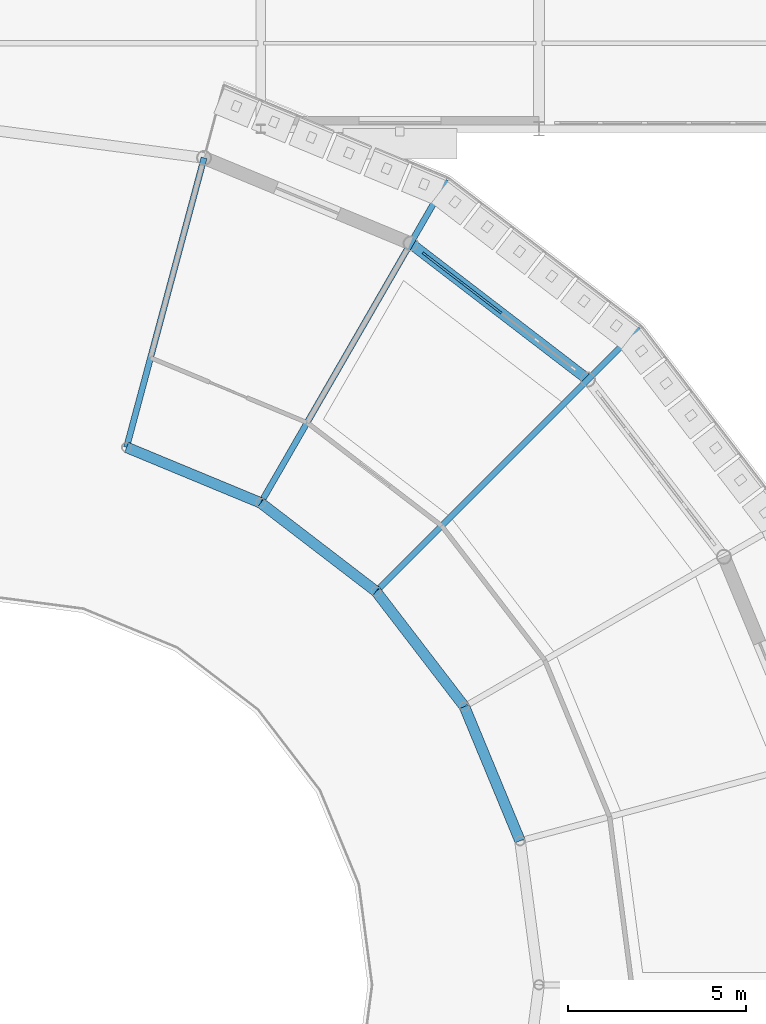
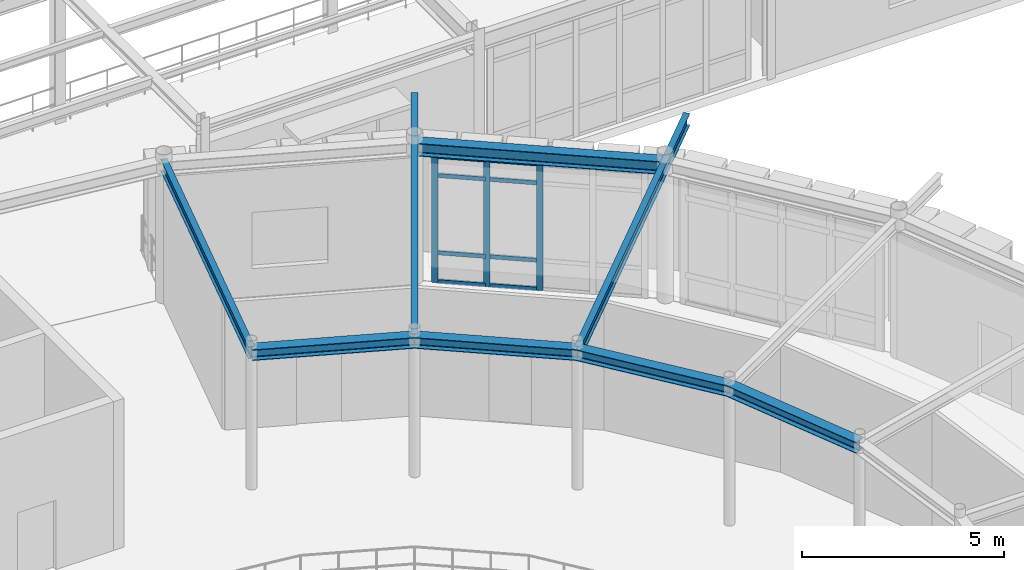
# One storey, part 54 of 106: 11 members, 8 beams, 1 element without a shape of its own.
"""IFC4 building model written with IfcOpenShell, lengths in metres."""

import ifcopenshell
import ifcopenshell.guid

model = None  # the IFC model being written
_history = None  # IfcOwnerHistory: only IFC2X3 demands one
_inside = {}  # id of a spatial element -> (the spatial element, [elements in it])
_under = {}  # id of a project, library or spatial element -> (it, [spatial elements below it])
_declared = {}  # id of a project -> (the project, [libraries it declares])
_typed = {}  # id of a type object -> (the type object, [elements of that type])
_made_of = {}  # id of a material, layer set ... -> (it, [elements and type objects made of it])


def new_model(schema):
    """Start an empty IFC model of exactly this schema.

    Asked for "IFC4X3", IfcOpenShell would pick the latest addendum, in which some entities
    have other attributes; the version numbers below select the first issue.
    IFC2X3 requires an IfcOwnerHistory on every rooted entity: one is made here for all.
    """
    global model, _history
    if schema == "IFC4X3":
        model = ifcopenshell.file(schema_version=(4, 3, 0, 0))
    else:
        model = ifcopenshell.file(schema=schema)
    _inside.clear()
    _under.clear()
    _declared.clear()
    _typed.clear()
    _made_of.clear()
    _history = None
    if model.schema == "IFC2X3":
        org = make("IfcOrganization", Name="unknown")
        user = make(
            "IfcPersonAndOrganization",
            ThePerson=make("IfcPerson", FamilyName="unknown"),
            TheOrganization=org,
        )
        app = make(
            "IfcApplication",
            ApplicationDeveloper=org,
            Version="unknown",
            ApplicationFullName="unknown",
            ApplicationIdentifier="unknown",
        )
        _history = make(
            "IfcOwnerHistory",
            OwningUser=user,
            OwningApplication=app,
            ChangeAction="ADDED",
            CreationDate=0,
        )
    return model


def make(cls, **values):
    """One entity of the class cls with the attributes given. An attribute that is None is left unset."""
    return model.create_entity(
        cls, **{name: value for name, value in values.items() if value is not None}
    )


def rooted(cls, **values):
    """An entity with a GlobalId (a new one), such as an element, a storey or a relation."""
    return make(cls, GlobalId=ifcopenshell.guid.new(), OwnerHistory=_history, **values)


def si_unit(unit_type, name, prefix=None):
    """IfcSIUnit, for example si_unit("LENGTHUNIT", "METRE", prefix="MILLI")."""
    return make("IfcSIUnit", UnitType=unit_type, Prefix=prefix, Name=name)


def derived_unit(unit_type, elements):
    """IfcDerivedUnit: a product of units, each with its exponent."""
    return make(
        "IfcDerivedUnit",
        Elements=[
            make("IfcDerivedUnitElement", Unit=unit, Exponent=power)
            for unit, power in elements
        ],
        UnitType=unit_type,
    )


def assignment(units):
    """IfcUnitAssignment: the units of a project."""
    return None if units is None else make("IfcUnitAssignment", Units=units)


def point(xyz):
    """IfcCartesianPoint."""
    return None if xyz is None else make("IfcCartesianPoint", Coordinates=xyz)


def direction(xyz):
    """IfcDirection."""
    return None if xyz is None else make("IfcDirection", DirectionRatios=xyz)


def frame(location, z_axis=None, x_axis=None):
    """IfcAxis2Placement3D, a coordinate frame: its origin and axes. An axis left out is left unset."""
    return make(
        "IfcAxis2Placement3D",
        Location=point(location),
        Axis=direction(z_axis),
        RefDirection=direction(x_axis),
    )


def frame_2d(location, x_axis=None):
    """IfcAxis2Placement2D, a coordinate frame in the plane: its origin and x axis."""
    return make(
        "IfcAxis2Placement2D", Location=point(location), RefDirection=direction(x_axis)
    )


def origin():
    """The frame at (0, 0, 0) with its axes left unset."""
    return frame((0.0, 0.0, 0.0))


def origin_2d():
    """The frame at (0, 0) in the plane with its x axis left unset."""
    return frame_2d((0.0, 0.0))


def place(relative_to, where):
    """IfcLocalPlacement: puts the frame where relative to a parent placement (None: the world)."""
    return make(
        "IfcLocalPlacement", PlacementRelTo=relative_to, RelativePlacement=where
    )


def context(
    kind, dimensions, precision=None, world=None, true_north=None, identifier=None
):
    """IfcGeometricRepresentationContext, for example the 3D "Model" context."""
    return make(
        "IfcGeometricRepresentationContext",
        ContextIdentifier=identifier,
        ContextType=kind,
        CoordinateSpaceDimension=dimensions,
        Precision=precision,
        WorldCoordinateSystem=world,
        TrueNorth=true_north,
    )


def subcontext(parent, identifier, kind, view, scale=None):
    """IfcGeometricRepresentationSubContext, for example "Body" below "Model"."""
    return make(
        "IfcGeometricRepresentationSubContext",
        ContextIdentifier=identifier,
        ContextType=kind,
        ParentContext=parent,
        TargetScale=scale,
        TargetView=view,
    )


def project(units=None, contexts=None):
    """IfcProject with its units and contexts."""
    return rooted(
        "IfcProject",
        Name="project",
        RepresentationContexts=contexts,
        UnitsInContext=assignment(units),
    )


def spatial(cls, under=None, at=None, **own):
    """A site, building, storey or space (cls), placed at a placement, below another one or the project."""
    s = rooted(cls, ObjectPlacement=at, **own)
    if under is not None:
        _under.setdefault(under.id(), (under, []))[1].append(s)
    return s


def profile(cls, at=None, kind="AREA", **sizes):
    """A parametric profile (cls). Its sizes go by their IFC names, for example OverallWidth=200.0."""
    return make(cls, ProfileType=kind, Position=at, **sizes)


def rectangle(**sizes):
    """IfcRectangleProfileDef."""
    return profile("IfcRectangleProfileDef", **sizes)


def i_section(**sizes):
    """IfcIShapeProfileDef."""
    return profile("IfcIShapeProfileDef", **sizes)


def extrude(swept, where, along, depth):
    """IfcExtrudedAreaSolid: the profile swept, set in the frame where, extruded along a direction by depth."""
    return make(
        "IfcExtrudedAreaSolid",
        SweptArea=swept,
        Position=where,
        ExtrudedDirection=direction(along),
        Depth=depth,
    )


def shape(context_of_items, identifier, shape_type, items):
    """IfcShapeRepresentation: the items that make up one representation, for example the "Body"."""
    return make(
        "IfcShapeRepresentation",
        ContextOfItems=context_of_items,
        RepresentationIdentifier=identifier,
        RepresentationType=shape_type,
        Items=items,
    )


def material(Name=None, Category=None):
    """IfcMaterial."""
    return make("IfcMaterial", Name=Name, Category=Category)


def layer(
    of_material, thickness, ventilated=None, Name=None, Category=None, Priority=None
):
    """IfcMaterialLayer: one layer of a wall or slab, of a material (None: an air gap)."""
    return make(
        "IfcMaterialLayer",
        Material=of_material,
        LayerThickness=thickness,
        IsVentilated=ventilated,
        Name=Name,
        Category=Category,
        Priority=Priority,
    )


def layer_set(layers, Name=None):
    """IfcMaterialLayerSet."""
    return make("IfcMaterialLayerSet", MaterialLayers=layers, LayerSetName=Name)


def material_profile(
    of_material, cross_section, Name=None, Category=None, Priority=None
):
    """IfcMaterialProfile: a cross section and its material."""
    return make(
        "IfcMaterialProfile",
        Name=Name,
        Material=of_material,
        Profile=cross_section,
        Priority=Priority,
        Category=Category,
    )


def profile_set(profiles, Name=None, composite=None):
    """IfcMaterialProfileSet."""
    return make(
        "IfcMaterialProfileSet",
        Name=Name,
        MaterialProfiles=profiles,
        CompositeProfile=composite,
    )


def made_of(thing, what):
    """Note that an element or type object is made of a material, layer set ...; save() writes the relation."""
    if what is not None:
        _made_of.setdefault(what.id(), (what, []))[1].append(thing)
    return thing


def type_object(cls, material=None, **own):
    """A type object (cls), such as IfcWallType, which elements share."""
    return made_of(rooted(cls, **own), material)


def element(
    cls,
    number,
    at=None,
    inside=None,
    cuts=None,
    type_object=None,
    material=None,
    context=None,
    identifier="Body",
    shape_type=None,
    held_by="IfcProductDefinitionShape",
    body=None,
    shapes=None,
    **own,
):
    """One element of the class cls, such as IfcWall. Its Tag is "e" and its number.

    at: its placement. inside: the storey or other place that contains it. cuts: it is an
    opening in that element (IfcRelVoidsElement). A single representation is given by context,
    identifier, shape_type and body (its items); several are given by shapes. held_by: the class
    of the entity that holds the representations. save() writes the other relations.
    """
    e = rooted(cls, Tag="e%d" % number, ObjectPlacement=at, **own)
    if body is not None:
        shapes = [shape(context, identifier, shape_type, body)]
    if shapes is not None:
        e.Representation = make(held_by, Representations=shapes)
    if inside is not None:
        _inside.setdefault(inside.id(), (inside, []))[1].append(e)
    if cuts is not None:
        rooted(
            "IfcRelVoidsElement", RelatingBuildingElement=cuts, RelatedOpeningElement=e
        )
    if type_object is not None:
        _typed.setdefault(type_object.id(), (type_object, []))[1].append(e)
    return made_of(e, material)


def aggregate(whole, parts):
    """IfcRelAggregates: a whole, such as a stair, and the parts it consists of."""
    return rooted("IfcRelAggregates", RelatingObject=whole, RelatedObjects=parts)


def save(model, path):
    """Write the relations noted so far, then the file.

    IfcRelAggregates (storeys below a building ...), IfcRelContainedInSpatialStructure (elements
    in a storey), IfcRelDefinesByType, IfcRelAssociatesMaterial and IfcRelDeclares: one each for
    every whole, place, type object, material and project.
    """
    for whole, parts in _under.values():
        aggregate(whole, parts)
    for where, things in _inside.values():
        rooted(
            "IfcRelContainedInSpatialStructure",
            RelatedElements=things,
            RelatingStructure=where,
        )
    for kind, things in _typed.values():
        rooted("IfcRelDefinesByType", RelatedObjects=things, RelatingType=kind)
    for what, things in _made_of.values():
        rooted("IfcRelAssociatesMaterial", RelatedObjects=things, RelatingMaterial=what)
    for by, libraries in _declared.values():
        rooted("IfcRelDeclares", RelatingContext=by, RelatedDefinitions=libraries)
    model.write(path)


model = new_model("IFC4")

# Units and contexts
model_context = context("Model", 3, precision=1e-05, world=origin(), true_north=direction((0.0, 1.0)))
body_context = subcontext(model_context, "Body", "Model", "MODEL_VIEW")
ifc_project = project(units=[si_unit("LENGTHUNIT", "METRE"), si_unit("AREAUNIT", "SQUARE_METRE"), si_unit("VOLUMEUNIT", "CUBIC_METRE"), si_unit("PLANEANGLEUNIT", "RADIAN"), si_unit("MASSUNIT", "GRAM", prefix="KILO"), derived_unit("THERMALTRANSMITTANCEUNIT", [(si_unit("POWERUNIT", "WATT"), 1), (si_unit("AREAUNIT", "SQUARE_METRE"), -1), (si_unit("THERMODYNAMICTEMPERATUREUNIT", "KELVIN"), -1)])], contexts=[model_context])

# Site, building, storey
site_placement = place(None, origin())
site = spatial("IfcSite", under=ifc_project, at=site_placement, CompositionType="ELEMENT")
building_placement = place(site_placement, origin())
building = spatial("IfcBuilding", under=site, at=building_placement, Name="Yasenodar Specialist Clinic", CompositionType="ELEMENT")
storey_placement = place(building_placement, frame((0.0, 0.0, 4.5)))
storey = spatial("IfcBuildingStorey", under=building, at=storey_placement, Name="L01", CompositionType="ELEMENT", Elevation=4.5)

# Beams
ifc_material_1 = material(Name="Steel S355", Category="steel")
ifc_material_profile_1 = material_profile(ifc_material_1, i_section(OverallWidth=0.300048828125, OverallDepth=0.330078125, WebThickness=0.009521484375, FlangeThickness=0.0166015625, FilletRadius=0.027099609375, at=origin_2d()), Name="HEA 340")
ifc_profile_set_1 = profile_set([ifc_material_profile_1], Name="Steel S355")
beam_type_1 = type_object("IfcBeamType", Name="BM-HEA340", PredefinedType="BEAM", material=ifc_profile_set_1)
beam_1_placement = place(storey_placement, frame((96.068359375, 62.837646484375, 4.0849609375), z_axis=(-0.382660650645, 0.92388896868, 0.0), x_axis=(-0.92388896868, -0.382660650645, 0.0)))
element("IfcBeam", 1, at=beam_1_placement, inside=storey, type_object=beam_type_1, Name="L01 Drum V1 Inner Ring Beam", PredefinedType="BEAM", context=body_context, shape_type="SweptSolid", body=[
    extrude(i_section(OverallWidth=0.300048828125, OverallDepth=0.330078125, WebThickness=0.009521484375, FlangeThickness=0.0166015625, FilletRadius=0.027099609375, at=origin_2d()), origin(), (0.0, 0.0, 1.0), 4.072509765625),
])
beam_2_placement = place(storey_placement, frame((94.510009765625, 66.60009765625, 4.0849609375), z_axis=(-0.60875999388, 0.793354441502, 0.0), x_axis=(-0.793354441502, -0.60875999388, 0.0)))
element("IfcBeam", 2, at=beam_2_placement, inside=storey, type_object=beam_type_1, Name="L01 Drum V1 Inner Ring Beam", PredefinedType="BEAM", context=body_context, shape_type="SweptSolid", body=[
    extrude(i_section(OverallWidth=0.300048828125, OverallDepth=0.330078125, WebThickness=0.009521484375, FlangeThickness=0.0166015625, FilletRadius=0.027099609375, at=origin_2d()), origin(), (0.0, 0.0, 1.0), 4.072265625),
])
for number, where, z_axis, x_axis, name in (
    (3, (92.031005859375, 69.830810546875, 4.0849609375), (-0.793347704909, 0.608768773111, 0.0), (-0.608768773111, -0.793347704909, 0.0), "L01 Drum V1 Inner Ring Beam"),
    (4, (88.800048828125, 72.31005859375, 4.0849609375), (-0.92388896868, 0.382660650645, 0.0), (-0.382660650645, -0.92388896868, 0.0), "L01 Drum V1 Inner Ring Beam"),
):
    element("IfcBeam", number, at=place(storey_placement, frame(where, z_axis=z_axis, x_axis=x_axis)), inside=storey, type_object=beam_type_1, Name=name, PredefinedType="BEAM", context=body_context, shape_type="SweptSolid", body=[
        extrude(i_section(OverallWidth=0.300048828125, OverallDepth=0.330078125, WebThickness=0.009521484375, FlangeThickness=0.0166015625, FilletRadius=0.027099609375, at=origin_2d()), origin(), (0.0, 0.0, 1.0), 4.072509765625),
    ])
ifc_material_profile_2 = material_profile(ifc_material_1, i_section(OverallWidth=0.300048828125, OverallDepth=0.389892578125, WebThickness=0.010986328125, FlangeThickness=0.01904296875, FilletRadius=0.027099609375, at=origin_2d()), Name="HEA 400")
ifc_profile_set_2 = profile_set([ifc_material_profile_2], Name="Steel S355")
beam_type_2 = type_object("IfcBeamType", Name="BM-HEA400", PredefinedType="BEAM", material=ifc_profile_set_2)
beam_3_placement = place(storey_placement, frame((97.970703125, 75.7705078125, 4.054931640625), z_axis=(-0.793349152542, 0.608766886551, 0.0), x_axis=(-0.608766886551, -0.793349152542, 0.0)))
element("IfcBeam", 5, at=beam_3_placement, inside=storey, type_object=beam_type_2, Name="L01 Drum V1 Perimeter Ring Beam", PredefinedType="BEAM", context=body_context, shape_type="SweptSolid", body=[
    extrude(i_section(OverallWidth=0.300048828125, OverallDepth=0.389892578125, WebThickness=0.010986328125, FlangeThickness=0.01904296875, FilletRadius=0.027099609375, at=origin_2d()), origin(), (0.0, 0.0, 1.0), 6.265380859375),
])
ifc_material_profile_3 = material_profile(ifc_material_1, i_section(OverallWidth=0.169921875, OverallDepth=0.360107421875, WebThickness=0.008056640625, FlangeThickness=0.0126953125, FilletRadius=0.01806640625, at=origin_2d()), Name="IPE 360")
ifc_profile_set_3 = profile_set([ifc_material_profile_3], Name="Steel S355")
beam_type_3 = type_object("IfcBeamType", Name="BM-IPE360", PredefinedType="BEAM", material=ifc_profile_set_3)
for number, where, z_axis, x_axis, name in (
    (6, (92.031005859375, 69.830810546875, 4.070068359375), (0.707095099746, 0.707118462434, 0.0), (-0.707118462434, 0.707095099746, 0.0), "L01 Drum V1 Radial Back-Spanned Cantilever Beam"),
    (7, (88.800048828125, 72.31005859375, 4.070068359375), (0.499986032603, 0.866033467715, 0.0), (-0.866033467715, 0.499986032603, 0.0), "L01 Drum V1 Radial Back-Spanned Cantilever Beam"),
):
    element("IfcBeam", number, at=place(storey_placement, frame(where, z_axis=z_axis, x_axis=x_axis)), inside=storey, type_object=beam_type_3, Name=name, PredefinedType="BEAM", context=body_context, shape_type="SweptSolid", body=[
        extrude(i_section(OverallWidth=0.169921875, OverallDepth=0.360107421875, WebThickness=0.008056640625, FlangeThickness=0.0126953125, FilletRadius=0.01806640625, at=origin_2d()), origin(), (0.0, 0.0, 1.0), 10.449951171875),
    ])
beam_4_placement = place(storey_placement, frame((85.03759765625, 73.868408203125, 4.070068359375), z_axis=(0.258818408893, 0.965925996761, 0.0), x_axis=(-0.965925996761, 0.258818408893, 0.0)))
element("IfcBeam", 8, at=beam_4_placement, inside=storey, type_object=beam_type_3, Name="L01 Drum V1 Radial Beam", PredefinedType="BEAM", context=body_context, shape_type="SweptSolid", body=[
    extrude(i_section(OverallWidth=0.169921875, OverallDepth=0.360107421875, WebThickness=0.008056640625, FlangeThickness=0.0126953125, FilletRadius=0.01806640625, at=origin_2d()), origin(), (0.0, 0.0, 1.0), 8.39990234375),
])

# Curtain wall, members
ifc_material_2 = material(Name="Bronze Anodized Aluminium and Triple Low-E Glass", Category="aluminium")
ifc_layer = layer(ifc_material_2, 0.1669921875)
ifc_layer_set = layer_set([ifc_layer], Name="Bronze Anodized Aluminium and Triple Low-E Glass")
curtain_wall_type = type_object("IfcCurtainWallType", Name="CW-SYS-01", PredefinedType="USERDEFINED", material=ifc_layer_set)
curtain_wall_placement = place(storey_placement, origin())
curtain_wall = element("IfcCurtainWall", 9, at=curtain_wall_placement, inside=storey, type_object=curtain_wall_type, Name="L01 Unitised Curtain Wall 016", ObjectType="UNITISED CURTAIN WALL", PredefinedType="USERDEFINED")
ifc_material_3 = material(Name="Bronze Anodized Aluminium", Category="aluminium")
ifc_material_profile_4 = material_profile(ifc_material_3, rectangle(XDim=0.06005859375, YDim=0.159912109375, at=origin_2d()), Name="CW-MULL 60x160")
ifc_profile_set_4 = profile_set([ifc_material_profile_4], Name="Bronze Anodized Aluminium")
member_type_1 = type_object("IfcMemberType", Name="CW-MULL-160", PredefinedType="MULLION", material=ifc_profile_set_4)
member_1_placement = place(storey_placement, frame((93.404541015625, 79.274169921875, 0.0), z_axis=(0.0, 0.0, 1.0), x_axis=(0.608752021844, 0.793360558574, 0.0)))
member_1 = element("IfcMember", 10, at=member_1_placement, type_object=member_type_1, Name="CW-01 mullion 1", PredefinedType="MULLION", context=body_context, shape_type="SweptSolid", body=[
    extrude(rectangle(XDim=0.06005859375, YDim=0.159912109375, at=origin_2d()), origin(), (0.0, 0.0, 1.0), 3.837890625),
])
member_2_placement = place(storey_placement, frame((94.43310546875, 78.485107421875, 0.0), z_axis=(0.0, 0.0, 1.0), x_axis=(0.608752021844, 0.793360558574, 0.0)))
member_2 = element("IfcMember", 11, at=member_2_placement, type_object=member_type_1, Name="CW-01 mullion 2", PredefinedType="MULLION", context=body_context, shape_type="SweptSolid", body=[
    extrude(rectangle(XDim=0.06005859375, YDim=0.159912109375, at=origin_2d()), origin(), (0.0, 0.0, 1.0), 3.837890625),
])
member_3_placement = place(storey_placement, frame((95.4853515625, 77.677490234375, 0.0), z_axis=(0.0, 0.0, 1.0), x_axis=(0.608752021844, 0.793360558574, 0.0)))
member_3 = element("IfcMember", 12, at=member_3_placement, type_object=member_type_1, Name="CW-01 mullion 3", PredefinedType="MULLION", context=body_context, shape_type="SweptSolid", body=[
    extrude(rectangle(XDim=0.06005859375, YDim=0.159912109375, at=origin_2d()), origin(), (0.0, 0.0, 1.0), 3.837890625),
])
ifc_material_profile_5 = material_profile(ifc_material_3, rectangle(XDim=0.06005859375, YDim=0.1201171875, at=origin_2d()), Name="CW-TRAN 60x120")
ifc_profile_set_5 = profile_set([ifc_material_profile_5], Name="Bronze Anodized Aluminium")
member_type_2 = type_object("IfcMemberType", Name="CW-TRAN-120", PredefinedType="USERDEFINED", material=ifc_profile_set_5)
member_4_placement = place(storey_placement, frame((93.428466796875, 79.255859375, 0.030029296875), z_axis=(0.793291580461, -0.608841907534, 0.0), x_axis=(0.608841907534, 0.793291580461, 0.0)))
member_4 = element("IfcMember", 13, at=member_4_placement, type_object=member_type_2, Name="CW-01 transom 1.1", ObjectType="TRANSOM", PredefinedType="USERDEFINED", context=body_context, shape_type="SweptSolid", body=[
    extrude(rectangle(XDim=0.06005859375, YDim=0.1201171875, at=origin_2d()), origin(), (0.0, 0.0, 1.0), 1.236328125),
])
member_5_placement = place(storey_placement, frame((93.428466796875, 79.255859375, 0.89990234375), z_axis=(0.793291580461, -0.608841907534, 0.0), x_axis=(0.608841907534, 0.793291580461, 0.0)))
member_5 = element("IfcMember", 14, at=member_5_placement, type_object=member_type_2, Name="CW-01 transom 1.2", ObjectType="TRANSOM", PredefinedType="USERDEFINED", context=body_context, shape_type="SweptSolid", body=[
    extrude(rectangle(XDim=0.06005859375, YDim=0.1201171875, at=origin_2d()), origin(), (0.0, 0.0, 1.0), 1.236328125),
])
member_6_placement = place(storey_placement, frame((93.428466796875, 79.255859375, 3.238037109375), z_axis=(0.793291580461, -0.608841907534, 0.0), x_axis=(0.608841907534, 0.793291580461, 0.0)))
member_6 = element("IfcMember", 15, at=member_6_placement, type_object=member_type_2, Name="CW-01 transom 1.3", ObjectType="TRANSOM", PredefinedType="USERDEFINED", context=body_context, shape_type="SweptSolid", body=[
    extrude(rectangle(XDim=0.06005859375, YDim=0.1201171875, at=origin_2d()), origin(), (0.0, 0.0, 1.0), 1.236328125),
])
member_7_placement = place(storey_placement, frame((93.428466796875, 79.255859375, 3.80810546875), z_axis=(0.793291580461, -0.608841907534, 0.0), x_axis=(0.608841907534, 0.793291580461, 0.0)))
member_7 = element("IfcMember", 16, at=member_7_placement, type_object=member_type_2, Name="CW-01 transom 1.4", ObjectType="TRANSOM", PredefinedType="USERDEFINED", context=body_context, shape_type="SweptSolid", body=[
    extrude(rectangle(XDim=0.06005859375, YDim=0.1201171875, at=origin_2d()), origin(), (0.0, 0.0, 1.0), 1.236328125),
])
member_8_placement = place(storey_placement, frame((94.456787109375, 78.466796875, 0.030029296875), z_axis=(0.793311491475, -0.608815963567, 0.0), x_axis=(0.608815963567, 0.793311491475, 0.0)))
member_8 = element("IfcMember", 17, at=member_8_placement, type_object=member_type_2, Name="CW-01 transom 2.1", ObjectType="TRANSOM", PredefinedType="USERDEFINED", context=body_context, shape_type="SweptSolid", body=[
    extrude(rectangle(XDim=0.06005859375, YDim=0.1201171875, at=origin_2d()), origin(), (0.0, 0.0, 1.0), 1.266357421875),
])
member_9_placement = place(storey_placement, frame((94.456787109375, 78.466796875, 0.89990234375), z_axis=(0.793311491475, -0.608815963567, 0.0), x_axis=(0.608815963567, 0.793311491475, 0.0)))
member_9 = element("IfcMember", 18, at=member_9_placement, type_object=member_type_2, Name="CW-01 transom 2.2", ObjectType="TRANSOM", PredefinedType="USERDEFINED", context=body_context, shape_type="SweptSolid", body=[
    extrude(rectangle(XDim=0.06005859375, YDim=0.1201171875, at=origin_2d()), origin(), (0.0, 0.0, 1.0), 1.266357421875),
])
member_10_placement = place(storey_placement, frame((94.456787109375, 78.466796875, 3.238037109375), z_axis=(0.793311491475, -0.608815963567, 0.0), x_axis=(0.608815963567, 0.793311491475, 0.0)))
member_10 = element("IfcMember", 19, at=member_10_placement, type_object=member_type_2, Name="CW-01 transom 2.3", ObjectType="TRANSOM", PredefinedType="USERDEFINED", context=body_context, shape_type="SweptSolid", body=[
    extrude(rectangle(XDim=0.06005859375, YDim=0.1201171875, at=origin_2d()), origin(), (0.0, 0.0, 1.0), 1.266357421875),
])
member_11_placement = place(storey_placement, frame((94.456787109375, 78.466796875, 3.80810546875), z_axis=(0.793311491475, -0.608815963567, 0.0), x_axis=(0.608815963567, 0.793311491475, 0.0)))
member_11 = element("IfcMember", 20, at=member_11_placement, type_object=member_type_2, Name="CW-01 transom 2.4", ObjectType="TRANSOM", PredefinedType="USERDEFINED", context=body_context, shape_type="SweptSolid", body=[
    extrude(rectangle(XDim=0.06005859375, YDim=0.1201171875, at=origin_2d()), origin(), (0.0, 0.0, 1.0), 1.266357421875),
])
aggregate(curtain_wall, [member_1, member_2, member_3, member_4, member_5, member_6, member_7, member_8, member_9, member_10, member_11])

save(model, "model.ifc")
